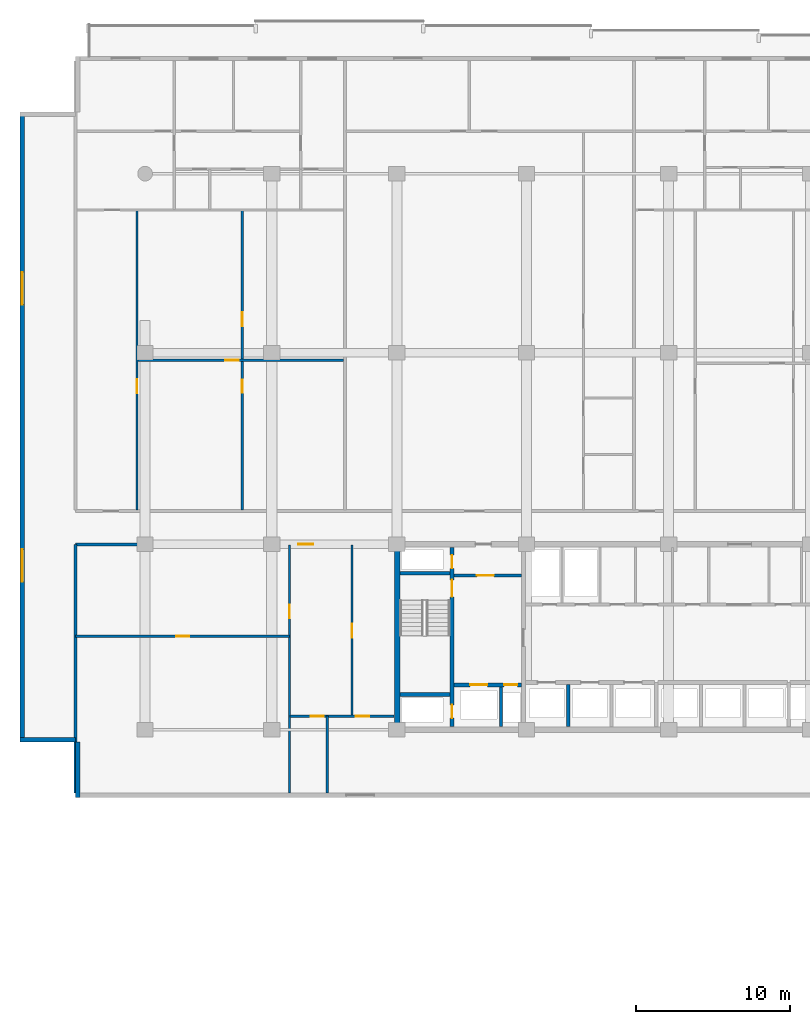
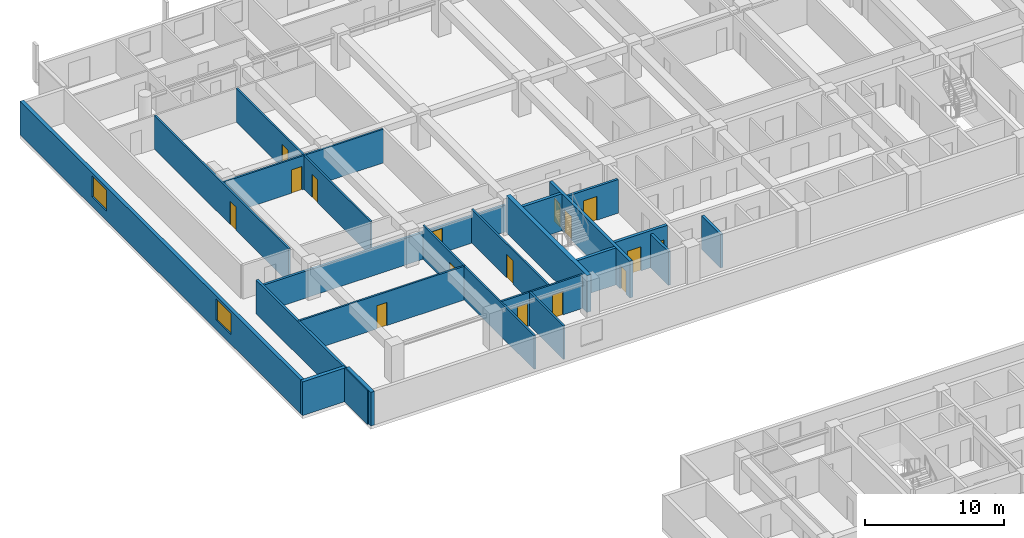
# One storey, part 10 of 23: 21 walls, 16 doors, 2 windows, 18 openings.
"""IFC4 building model written with IfcOpenShell, lengths in metres."""

from ifc_helpers import new_model, si_unit, direction, frame, frame_2d, origin, place, context, subcontext, project, spatial, rectangle, extrude, material, layer, layer_set, type_object, element, fill, save


model = new_model("IFC4")

# Units and contexts
model_context = context("Model", 3, precision=1e-05, world=origin(), true_north=direction((0.0, 1.0)))
body_context = subcontext(model_context, "Body", "Model", "MODEL_VIEW")
ifc_project = project(units=[si_unit("LENGTHUNIT", "METRE"), si_unit("AREAUNIT", "SQUARE_METRE"), si_unit("VOLUMEUNIT", "CUBIC_METRE"), si_unit("PLANEANGLEUNIT", "RADIAN"), si_unit("MASSUNIT", "GRAM", prefix="KILO")], contexts=[model_context])

# Site, building, storey
site_placement = place(None, origin())
site = spatial("IfcSite", under=ifc_project, at=site_placement, CompositionType="ELEMENT")
building_placement = place(site_placement, origin())
building = spatial("IfcBuilding", under=site, at=building_placement, Name="Korimba Cascade Residences", CompositionType="ELEMENT")
storey_placement = place(building_placement, frame((0.0, 0.0, 69.5)))
storey = spatial("IfcBuildingStorey", under=building, at=storey_placement, Name="L19", CompositionType="ELEMENT", Elevation=69.5)

# Wall, openings, windows
ifc_material_1 = material(Name="Precast concrete C40/50", Category="concrete")
ifc_layer_1 = layer(ifc_material_1, 0.300048828125)
ifc_layer_set_1 = layer_set([ifc_layer_1], Name="Precast concrete C40/50")
wall_type_1 = type_object("IfcWallType", Name="EW-STONE-300", PredefinedType="STANDARD", material=ifc_layer_set_1)
wall_1_placement = place(storey_placement, frame((51.85009765625, 95.199951171875, 0.0), z_axis=(0.0, 0.0, 1.0), x_axis=(0.0, -1.0, 0.0)))
wall_1 = element("IfcWall", 1, at=wall_1_placement, inside=storey, type_object=wall_type_1, Name="L19 T1 Perimeter Stone Wall E09", PredefinedType="STANDARD", context=body_context, shape_type="SweptSolid", body=[
    extrude(rectangle(XDim=40.800048828125, YDim=0.300048828125, at=frame_2d((20.39990234375, 0.0))), origin(), (0.0, 0.0, 1.0), 2.969970703125),
])
opening_1_placement = place(wall_1_placement, frame((10.3740234375, 0.0, 0.85009765625)))
opening_1 = element("IfcOpeningElement", 2, at=opening_1_placement, cuts=wall_1, Name="Opening W-03", PredefinedType="OPENING", context=body_context, shape_type="SweptSolid", body=[
    extrude(rectangle(XDim=2.10009765625, YDim=1.85009765625, at=frame_2d((1.050048828125, 0.925048828125))), frame((0.0, 0.16015625, 0.0), z_axis=(0.0, -1.0, 0.0), x_axis=(1.0, 0.0, 0.0)), (0.0, 0.0, 1.0), 0.320068359375),
])
opening_2_placement = place(wall_1_placement, frame((28.325927734375, 0.0, 0.85009765625)))
opening_2 = element("IfcOpeningElement", 3, at=opening_2_placement, cuts=wall_1, Name="Opening W-03", PredefinedType="OPENING", context=body_context, shape_type="SweptSolid", body=[
    extrude(rectangle(XDim=2.10009765625, YDim=1.85009765625, at=frame_2d((1.050048828125, 0.925048828125))), frame((0.0, 0.16015625, 0.0), z_axis=(0.0, -1.0, 0.0), x_axis=(1.0, 0.0, 0.0)), (0.0, 0.0, 1.0), 0.320068359375),
])
ifc_material_2 = material(Name="Double-Glazed Aluminium Window", Category="aluminium")
window_type = type_object("IfcWindowType", Name="WIN-CRN-2100", PartitioningType="DOUBLE_PANEL_HORIZONTAL", PredefinedType="WINDOW", material=ifc_material_2)
window_1_placement = place(opening_1_placement, origin())
window_1 = element("IfcWindow", 4, at=window_1_placement, inside=storey, type_object=window_type, Name="L19 T1 End View Window 9.1", OverallHeight=1.85009765625, OverallWidth=2.10009765625, PartitioningType="DOUBLE_PANEL_HORIZONTAL", PredefinedType="WINDOW", context=body_context, shape_type="SweptSolid", body=[
    extrude(rectangle(XDim=2.10009765625, YDim=1.85009765625, at=frame_2d((1.050048828125, 0.925048828125))), frame((0.0, 0.030029296875, 0.0), z_axis=(0.0, -1.0, 0.0), x_axis=(1.0, 0.0, 0.0)), (0.0, 0.0, 1.0), 0.06005859375),
])
fill(opening_1, window_1)
window_2_placement = place(opening_2_placement, origin())
window_2 = element("IfcWindow", 5, at=window_2_placement, inside=storey, type_object=window_type, Name="L19 T1 End View Window 9.2", OverallHeight=1.85009765625, OverallWidth=2.10009765625, PartitioningType="DOUBLE_PANEL_HORIZONTAL", PredefinedType="WINDOW", context=body_context, shape_type="SweptSolid", body=[
    extrude(rectangle(XDim=2.10009765625, YDim=1.85009765625, at=frame_2d((1.050048828125, 0.925048828125))), frame((0.0, 0.030029296875, 0.0), z_axis=(0.0, -1.0, 0.0), x_axis=(1.0, 0.0, 0.0)), (0.0, 0.0, 1.0), 0.06005859375),
])
fill(opening_2, window_2)

# Walls
wall_2_placement = place(storey_placement, frame((51.699951171875, 54.550048828125, 0.0), z_axis=(0.0, 0.0, 1.0), x_axis=(1.0, 0.0, 0.0)))
element("IfcWall", 6, at=wall_2_placement, inside=storey, type_object=wall_type_1, Name="L19 T1 Perimeter Stone Wall E10", PredefinedType="STANDARD", context=body_context, shape_type="SweptSolid", body=[
    extrude(rectangle(XDim=3.60009765625, YDim=0.300048828125, at=frame_2d((1.800048828125, 0.0))), origin(), (0.0, 0.0, 1.0), 2.969970703125),
])
wall_3_placement = place(storey_placement, frame((55.449951171875, 54.39990234375, 0.0), z_axis=(0.0, 0.0, 1.0), x_axis=(0.0, -1.0, 0.0)))
element("IfcWall", 7, at=wall_3_placement, inside=storey, type_object=wall_type_1, Name="L19 T1 Perimeter Stone Wall E11", PredefinedType="STANDARD", context=body_context, shape_type="SweptSolid", body=[
    extrude(rectangle(XDim=3.599853515625, YDim=0.300048828125, at=frame_2d((1.7998046875, 0.0))), origin(), (0.0, 0.0, 1.0), 2.969970703125),
])
ifc_material_3 = material(Name="Concrete C65/80", Category="concrete")
ifc_layer_2 = layer(ifc_material_3, 0.35009765625)
ifc_layer_set_2 = layer_set([ifc_layer_2], Name="Concrete C65/80")
wall_type_2 = type_object("IfcWallType", Name="WAL-CORE-350", PredefinedType="SHEAR", material=ifc_layer_set_2)
wall_4_placement = place(storey_placement, frame((76.125, 55.375, 0.0), z_axis=(0.0, 0.0, 1.0), x_axis=(0.0, 1.0, 0.0)))
element("IfcWall", 8, at=wall_4_placement, inside=storey, type_object=wall_type_2, Name="L19 Core Shear Wall CW-L19-T1-W", PredefinedType="SHEAR", context=body_context, shape_type="SweptSolid", body=[
    extrude(rectangle(XDim=11.64990234375, YDim=0.35009765625, at=frame_2d((5.824951171875, 0.0))), origin(), (0.0, 0.0, 1.0), 3.25),
])
ifc_layer_3 = layer(ifc_material_1, 0.199951171875)
ifc_layer_set_3 = layer_set([ifc_layer_3], Name="Precast concrete C40/50")
wall_type_3 = type_object("IfcWallType", Name="WAL-IT-200", PredefinedType="PARTITIONING", material=ifc_layer_set_3)
wall_5_placement = place(storey_placement, frame((55.300048828125, 51.10009765625, 0.0), z_axis=(0.0, 0.0, 1.0), x_axis=(0.0, 1.0, 0.0)))
element("IfcWall", 9, at=wall_5_placement, inside=storey, type_object=wall_type_3, Name="L19 Partition Wall WAL-L19-T1-FW-WL", PredefinedType="PARTITIONING", context=body_context, shape_type="SweptSolid", body=[
    extrude(rectangle(XDim=16.099853515625, YDim=0.199951171875, at=frame_2d((8.0498046875, 0.0))), origin(), (0.0, 0.0, 1.0), 2.969970703125),
])

# Wall, opening, door
wall_6_placement = place(storey_placement, frame((55.300048828125, 67.199951171875, 0.0), z_axis=(0.0, 0.0, 1.0), x_axis=(1.0, 0.0, 0.0)))
wall_6 = element("IfcWall", 10, at=wall_6_placement, inside=storey, type_object=wall_type_3, Name="L19 Partition Wall WAL-L19-T1-FW-N", PredefinedType="PARTITIONING", context=body_context, shape_type="SweptSolid", body=[
    extrude(rectangle(XDim=20.64990234375, YDim=0.199951171875, at=frame_2d((10.324951171875, 0.0))), origin(), (0.0, 0.0, 1.0), 2.3701171875),
])
opening_3_placement = place(wall_6_placement, frame((14.426025390625, 0.0, 0.0)))
opening_3 = element("IfcOpeningElement", 11, at=opening_3_placement, cuts=wall_6, Name="Opening D-UN1", PredefinedType="OPENING", context=body_context, shape_type="SweptSolid", body=[
    extrude(rectangle(XDim=0.949951171875, YDim=2.14990234375, at=frame_2d((0.47509765625, 1.074951171875))), frame((0.0, 0.10986328125, 0.0), z_axis=(0.0, -1.0, 0.0), x_axis=(1.0, 0.0, 0.0)), (0.0, 0.0, 1.0), 0.219970703125),
])
ifc_material_4 = material(Name="Fire-Rated Hardwood Apartment Entrance Door", Category="wood")
door_type_1 = type_object("IfcDoorType", Name="DR-FD60-950", OperationType="NOTDEFINED", PredefinedType="DOOR", material=ifc_material_4)
door_1_placement = place(opening_3_placement, origin())
door_1 = element("IfcDoor", 12, at=door_1_placement, inside=storey, type_object=door_type_1, Name="L19-T1-FW Entrance Door", OperationType="SINGLE_SWING_LEFT", OverallHeight=2.14990234375, OverallWidth=0.949951171875, PredefinedType="DOOR", context=body_context, shape_type="SweptSolid", body=[
    extrude(rectangle(XDim=0.949951171875, YDim=2.14990234375, at=frame_2d((0.47509765625, 1.074951171875))), frame((0.0, 0.02490234375, 0.0), z_axis=(0.0, -1.0, 0.0), x_axis=(1.0, 0.0, 0.0)), (0.0, 0.0, 1.0), 0.050048828125),
])
fill(opening_3, door_1)

ifc_material_5 = material(Name="Insulated Acoustic Stud Partition", Category="gypsum")
ifc_layer_4 = layer(ifc_material_5, 0.14990234375)
ifc_layer_set_4 = layer_set([ifc_layer_4], Name="Insulated Acoustic Stud Partition")
wall_type_4 = type_object("IfcWallType", Name="WAL-PART-150", PredefinedType="PARTITIONING", material=ifc_layer_set_4)
wall_7_placement = place(storey_placement, frame((55.300048828125, 61.25, 0.0), z_axis=(0.0, 0.0, 1.0), x_axis=(1.0, 0.0, 0.0)))
wall_7 = element("IfcWall", 13, at=wall_7_placement, inside=storey, type_object=wall_type_4, Name="L19 Partition Wall WAL-L19-T1-FW-STH", PredefinedType="PARTITIONING", context=body_context, shape_type="SweptSolid", body=[
    extrude(rectangle(XDim=13.849853515625, YDim=0.14990234375, at=frame_2d((6.9248046875, 0.0))), origin(), (0.0, 0.0, 1.0), 2.969970703125),
])
opening_4_placement = place(wall_7_placement, frame((6.5048828125, 0.0, 0.0)))
opening_4 = element("IfcOpeningElement", 14, at=opening_4_placement, cuts=wall_7, Name="Opening D-BT1", PredefinedType="OPENING", context=body_context, shape_type="SweptSolid", body=[
    extrude(rectangle(XDim=0.840087890625, YDim=2.0400390625, at=frame_2d((0.419921875, 1.02001953125))), frame((0.0, 0.0849609375, 0.0), z_axis=(0.0, -1.0, 0.0), x_axis=(1.0, 0.0, 0.0)), (0.0, 0.0, 1.0), 0.169921875),
])
ifc_material_6 = material(Name="Moisture-Resistant Bathroom Timber Door", Category="wood")
door_type_2 = type_object("IfcDoorType", Name="DR-INT-850", OperationType="NOTDEFINED", PredefinedType="DOOR", material=ifc_material_6)
door_2_placement = place(opening_4_placement, origin())
door_2 = element("IfcDoor", 15, at=door_2_placement, inside=storey, type_object=door_type_2, Name="L19-T1-FW Dressing Store Door", OperationType="SINGLE_SWING_RIGHT", OverallHeight=2.0400390625, OverallWidth=0.840087890625, PredefinedType="DOOR", context=body_context, shape_type="SweptSolid", body=[
    extrude(rectangle(XDim=0.840087890625, YDim=2.0400390625, at=frame_2d((0.419921875, 1.02001953125))), frame((0.0, 0.02490234375, 0.0), z_axis=(0.0, -1.0, 0.0), x_axis=(1.0, 0.0, 0.0)), (0.0, 0.0, 1.0), 0.050048828125),
])
fill(opening_4, door_2)

wall_8_placement = place(storey_placement, frame((69.14990234375, 51.10009765625, 0.0), z_axis=(0.0, 0.0, 1.0), x_axis=(0.0, 1.0, 0.0)))
wall_8 = element("IfcWall", 16, at=wall_8_placement, inside=storey, type_object=wall_type_4, Name="L19 Partition Wall WAL-L19-T1-FW-STV", PredefinedType="PARTITIONING", context=body_context, shape_type="SweptSolid", body=[
    extrude(rectangle(XDim=16.0498046875, YDim=0.14990234375, at=frame_2d((8.02490234375, 0.0))), origin(), (0.0, 0.0, 1.0), 2.969970703125),
])
opening_5_placement = place(wall_8_placement, frame((11.300048828125, 0.0, 0.0)))
opening_5 = element("IfcOpeningElement", 17, at=opening_5_placement, cuts=wall_8, Name="Opening D-IN2", PredefinedType="OPENING", context=body_context, shape_type="SweptSolid", body=[
    extrude(rectangle(XDim=0.8798828125, YDim=2.06005859375, at=frame_2d((0.43994140625, 1.030029296875))), frame((0.0, 0.0849609375, 0.0), z_axis=(0.0, -1.0, 0.0), x_axis=(1.0, 0.0, 0.0)), (0.0, 0.0, 1.0), 0.169921875),
])
ifc_material_7 = material(Name="Acoustic Timber Bedroom Door", Category="wood")
door_type_3 = type_object("IfcDoorType", Name="DR-INT-880", OperationType="NOTDEFINED", PredefinedType="DOOR", material=ifc_material_7)
door_3_placement = place(opening_5_placement, origin())
door_3 = element("IfcDoor", 18, at=door_3_placement, inside=storey, type_object=door_type_3, Name="L19-T1-FW Study Door", OperationType="SINGLE_SWING_LEFT", OverallHeight=2.06005859375, OverallWidth=0.8798828125, PredefinedType="DOOR", context=body_context, shape_type="SweptSolid", body=[
    extrude(rectangle(XDim=0.8798828125, YDim=2.06005859375, at=frame_2d((0.43994140625, 1.030029296875))), frame((0.0, 0.02490234375, 0.0), z_axis=(0.0, -1.0, 0.0), x_axis=(1.0, 0.0, 0.0)), (0.0, 0.0, 1.0), 0.050048828125),
])
fill(opening_5, door_3)

wall_9_placement = place(storey_placement, frame((73.199951171875, 56.070068359375, 0.0), z_axis=(0.0, 0.0, 1.0), x_axis=(0.0, 1.0, 0.0)))
wall_9 = element("IfcWall", 19, at=wall_9_placement, inside=storey, type_object=wall_type_4, Name="L19 Partition Wall WAL-L19-T1-FW-VN", PredefinedType="PARTITIONING", context=body_context, shape_type="SweptSolid", body=[
    extrude(rectangle(XDim=11.079833984375, YDim=0.14990234375, at=frame_2d((5.5400390625, 0.0))), origin(), (0.0, 0.0, 1.0), 2.969970703125),
])
opening_6_placement = place(wall_9_placement, frame((5.080078125, 0.0, 0.0)))
opening_6 = element("IfcOpeningElement", 20, at=opening_6_placement, cuts=wall_9, Name="Opening D-IN1", PredefinedType="OPENING", context=body_context, shape_type="SweptSolid", body=[
    extrude(rectangle(XDim=0.919921875, YDim=2.080078125, at=frame_2d((0.4599609375, 1.0400390625))), frame((0.0, 0.0849609375, 0.0), z_axis=(0.0, -1.0, 0.0), x_axis=(1.0, 0.0, 0.0)), (0.0, 0.0, 1.0), 0.169921875),
])
ifc_material_8 = material(Name="Acoustic Timber Living Door", Category="wood")
door_type_4 = type_object("IfcDoorType", Name="DR-INT-920", OperationType="NOTDEFINED", PredefinedType="DOOR", material=ifc_material_8)
door_4_placement = place(opening_6_placement, origin())
door_4 = element("IfcDoor", 21, at=door_4_placement, inside=storey, type_object=door_type_4, Name="L19-T1-FW Living Door", OperationType="SINGLE_SWING_RIGHT", OverallHeight=2.080078125, OverallWidth=0.919921875, PredefinedType="DOOR", context=body_context, shape_type="SweptSolid", body=[
    extrude(rectangle(XDim=0.919921875, YDim=2.080078125, at=frame_2d((0.4599609375, 1.0400390625))), frame((0.0, 0.02490234375, 0.0), z_axis=(0.0, -1.0, 0.0), x_axis=(1.0, 0.0, 0.0)), (0.0, 0.0, 1.0), 0.050048828125),
])
fill(opening_6, door_4)

# Wall
wall_10_placement = place(storey_placement, frame((71.60009765625, 51.10009765625, 0.0), z_axis=(0.0, 0.0, 1.0), x_axis=(0.0, 1.0, 0.0)))
element("IfcWall", 22, at=wall_10_placement, inside=storey, type_object=wall_type_4, Name="L19 Partition Wall WAL-L19-T1-FW-VS", PredefinedType="PARTITIONING", context=body_context, shape_type="SweptSolid", body=[
    extrude(rectangle(XDim=4.969970703125, YDim=0.14990234375, at=frame_2d((2.48486328125, 0.0))), origin(), (0.0, 0.0, 1.0), 2.969970703125),
])

# Wall, openings, doors
wall_11_placement = place(storey_placement, frame((69.169921875, 56.070068359375, 0.0), z_axis=(0.0, 0.0, 1.0), x_axis=(1.0, 0.0, 0.0)))
wall_11 = element("IfcWall", 23, at=wall_11_placement, inside=storey, type_object=wall_type_4, Name="L19 Partition Wall WAL-L19-T1-FW-H", PredefinedType="PARTITIONING", context=body_context, shape_type="SweptSolid", body=[
    extrude(rectangle(XDim=6.760009765625, YDim=0.14990234375, at=frame_2d((3.3798828125, 0.0))), origin(), (0.0, 0.0, 1.0), 2.969970703125),
])
opening_7_placement = place(wall_11_placement, frame((1.3623046875, 0.0, 0.0)))
opening_7 = element("IfcOpeningElement", 24, at=opening_7_placement, cuts=wall_11, Name="Opening D-BT1", PredefinedType="OPENING", context=body_context, shape_type="SweptSolid", body=[
    extrude(rectangle(XDim=0.840087890625, YDim=2.0400390625, at=frame_2d((0.419921875, 1.02001953125))), frame((0.0, 0.0849609375, 0.0), z_axis=(0.0, -1.0, 0.0), x_axis=(1.0, 0.0, 0.0)), (0.0, 0.0, 1.0), 0.169921875),
])
opening_8_placement = place(wall_11_placement, frame((4.276611328125, 0.0, 0.0)))
opening_8 = element("IfcOpeningElement", 25, at=opening_8_placement, cuts=wall_11, Name="Opening D-IN2", PredefinedType="OPENING", context=body_context, shape_type="SweptSolid", body=[
    extrude(rectangle(XDim=0.8798828125, YDim=2.06005859375, at=frame_2d((0.43994140625, 1.030029296875))), frame((0.0, 0.0849609375, 0.0), z_axis=(0.0, -1.0, 0.0), x_axis=(1.0, 0.0, 0.0)), (0.0, 0.0, 1.0), 0.169921875),
])
door_5_placement = place(opening_7_placement, origin())
door_5 = element("IfcDoor", 26, at=door_5_placement, inside=storey, type_object=door_type_2, Name="L19-T1-FW Bathroom Door", OperationType="SINGLE_SWING_LEFT", OverallHeight=2.0400390625, OverallWidth=0.840087890625, PredefinedType="DOOR", context=body_context, shape_type="SweptSolid", body=[
    extrude(rectangle(XDim=0.840087890625, YDim=2.0400390625, at=frame_2d((0.419921875, 1.02001953125))), frame((0.0, 0.02490234375, 0.0), z_axis=(0.0, -1.0, 0.0), x_axis=(1.0, 0.0, 0.0)), (0.0, 0.0, 1.0), 0.050048828125),
])
fill(opening_7, door_5)
door_6_placement = place(opening_8_placement, origin())
door_6 = element("IfcDoor", 27, at=door_6_placement, inside=storey, type_object=door_type_3, Name="L19-T1-FW Bedroom Door", OperationType="SINGLE_SWING_RIGHT", OverallHeight=2.06005859375, OverallWidth=0.8798828125, PredefinedType="DOOR", context=body_context, shape_type="SweptSolid", body=[
    extrude(rectangle(XDim=0.8798828125, YDim=2.06005859375, at=frame_2d((0.43994140625, 1.030029296875))), frame((0.0, 0.02490234375, 0.0), z_axis=(0.0, -1.0, 0.0), x_axis=(1.0, 0.0, 0.0)), (0.0, 0.0, 1.0), 0.050048828125),
])
fill(opening_8, door_6)

wall_12_placement = place(storey_placement, frame((66.092041015625, 69.409912109375, 0.0), z_axis=(0.0, 0.0, 1.0), x_axis=(0.0, 1.0, 0.0)))
wall_12 = element("IfcWall", 28, at=wall_12_placement, inside=storey, type_object=wall_type_4, Name="L19 Partition Wall WAL-L19-T1-U01-FMV", PredefinedType="PARTITIONING", context=body_context, shape_type="SweptSolid", body=[
    extrude(rectangle(XDim=19.400146484375, YDim=0.14990234375, at=frame_2d((9.7001953125, 0.0))), origin(), (0.0, 0.0, 1.0), 2.969970703125),
])
opening_9_placement = place(wall_12_placement, frame((7.618896484375, 0.0, 0.0)))
opening_9 = element("IfcOpeningElement", 29, at=opening_9_placement, cuts=wall_12, Name="Opening D-BT1", PredefinedType="OPENING", context=body_context, shape_type="SweptSolid", body=[
    extrude(rectangle(XDim=0.840087890625, YDim=2.0400390625, at=frame_2d((0.419921875, 1.02001953125))), frame((0.0, 0.0849609375, 0.0), z_axis=(0.0, -1.0, 0.0), x_axis=(1.0, 0.0, 0.0)), (0.0, 0.0, 1.0), 0.169921875),
])
opening_10_placement = place(wall_12_placement, frame((11.9228515625, 0.0, 0.0)))
opening_10 = element("IfcOpeningElement", 30, at=opening_10_placement, cuts=wall_12, Name="Opening D-IN2", PredefinedType="OPENING", context=body_context, shape_type="SweptSolid", body=[
    extrude(rectangle(XDim=0.8798828125, YDim=2.06005859375, at=frame_2d((0.43994140625, 1.030029296875))), frame((0.0, 0.0849609375, 0.0), z_axis=(0.0, -1.0, 0.0), x_axis=(1.0, 0.0, 0.0)), (0.0, 0.0, 1.0), 0.169921875),
])
door_7_placement = place(opening_9_placement, origin())
door_7 = element("IfcDoor", 31, at=door_7_placement, inside=storey, type_object=door_type_2, Name="L19-T1-U01 Wardrobe Door", OperationType="SINGLE_SWING_RIGHT", OverallHeight=2.0400390625, OverallWidth=0.840087890625, PredefinedType="DOOR", context=body_context, shape_type="SweptSolid", body=[
    extrude(rectangle(XDim=0.840087890625, YDim=2.0400390625, at=frame_2d((0.419921875, 1.02001953125))), frame((0.0, 0.02490234375, 0.0), z_axis=(0.0, -1.0, 0.0), x_axis=(1.0, 0.0, 0.0)), (0.0, 0.0, 1.0), 0.050048828125),
])
fill(opening_9, door_7)
door_8_placement = place(opening_10_placement, origin())
door_8 = element("IfcDoor", 32, at=door_8_placement, inside=storey, type_object=door_type_3, Name="L19-T1-U01 Music Lounge Door", OperationType="SINGLE_SWING_LEFT", OverallHeight=2.06005859375, OverallWidth=0.8798828125, PredefinedType="DOOR", context=body_context, shape_type="SweptSolid", body=[
    extrude(rectangle(XDim=0.8798828125, YDim=2.06005859375, at=frame_2d((0.43994140625, 1.030029296875))), frame((0.0, 0.02490234375, 0.0), z_axis=(0.0, -1.0, 0.0), x_axis=(1.0, 0.0, 0.0)), (0.0, 0.0, 1.0), 0.050048828125),
])
fill(opening_10, door_8)

# Wall, opening, door
wall_13_placement = place(storey_placement, frame((59.330078125, 79.110107421875, 0.0), z_axis=(0.0, 0.0, 1.0), x_axis=(1.0, 0.0, 0.0)))
wall_13 = element("IfcWall", 33, at=wall_13_placement, inside=storey, type_object=wall_type_4, Name="L19 Partition Wall WAL-L19-T1-U01-FMH", PredefinedType="PARTITIONING", context=body_context, shape_type="SweptSolid", body=[
    extrude(rectangle(XDim=13.323974609375, YDim=0.14990234375, at=frame_2d((6.662109375, 0.0))), origin(), (0.0, 0.0, 1.0), 2.969970703125),
])
opening_11_placement = place(wall_13_placement, frame((5.662109375, 0.0, 0.0)))
opening_11 = element("IfcOpeningElement", 34, at=opening_11_placement, cuts=wall_13, Name="Opening D-IN2", PredefinedType="OPENING", context=body_context, shape_type="SweptSolid", body=[
    extrude(rectangle(XDim=0.8798828125, YDim=2.06005859375, at=frame_2d((0.43994140625, 1.030029296875))), frame((0.0, 0.0849609375, 0.0), z_axis=(0.0, -1.0, 0.0), x_axis=(1.0, 0.0, 0.0)), (0.0, 0.0, 1.0), 0.169921875),
])
door_9_placement = place(opening_11_placement, origin())
door_9 = element("IfcDoor", 35, at=door_9_placement, inside=storey, type_object=door_type_3, Name="L19-T1-U01 Library Salon Door", OperationType="SINGLE_SWING_RIGHT", OverallHeight=2.06005859375, OverallWidth=0.8798828125, PredefinedType="DOOR", context=body_context, shape_type="SweptSolid", body=[
    extrude(rectangle(XDim=0.8798828125, YDim=2.06005859375, at=frame_2d((0.43994140625, 1.030029296875))), frame((0.0, 0.02490234375, 0.0), z_axis=(0.0, -1.0, 0.0), x_axis=(1.0, 0.0, 0.0)), (0.0, 0.0, 1.0), 0.050048828125),
])
fill(opening_11, door_9)

wall_14_placement = place(storey_placement, frame((59.27001953125, 69.409912109375, 0.0), z_axis=(0.0, 0.0, 1.0), x_axis=(0.0, 1.0, 0.0)))
wall_14 = element("IfcWall", 36, at=wall_14_placement, inside=storey, type_object=wall_type_4, Name="L19 Partition Wall WAL-L19-T1-U01-FV", PredefinedType="PARTITIONING", context=body_context, shape_type="SweptSolid", body=[
    extrude(rectangle(XDim=19.400146484375, YDim=0.14990234375, at=frame_2d((9.7001953125, 0.0))), origin(), (0.0, 0.0, 1.0), 2.969970703125),
])
opening_12_placement = place(wall_14_placement, frame((7.58349609375, 0.0, 0.0)))
opening_12 = element("IfcOpeningElement", 37, at=opening_12_placement, cuts=wall_14, Name="Opening D-IN2", PredefinedType="OPENING", context=body_context, shape_type="SweptSolid", body=[
    extrude(rectangle(XDim=0.8798828125, YDim=2.06005859375, at=frame_2d((0.43994140625, 1.030029296875))), frame((0.0, 0.0849609375, 0.0), z_axis=(0.0, -1.0, 0.0), x_axis=(1.0, 0.0, 0.0)), (0.0, 0.0, 1.0), 0.169921875),
])
door_10_placement = place(opening_12_placement, origin())
door_10 = element("IfcDoor", 38, at=door_10_placement, inside=storey, type_object=door_type_3, Name="L19-T1-U01 Media Lounge Door", OperationType="SINGLE_SWING_LEFT", OverallHeight=2.06005859375, OverallWidth=0.8798828125, PredefinedType="DOOR", context=body_context, shape_type="SweptSolid", body=[
    extrude(rectangle(XDim=0.8798828125, YDim=2.06005859375, at=frame_2d((0.43994140625, 1.030029296875))), frame((0.0, 0.02490234375, 0.0), z_axis=(0.0, -1.0, 0.0), x_axis=(1.0, 0.0, 0.0)), (0.0, 0.0, 1.0), 0.050048828125),
])
fill(opening_12, door_10)

# Wall
ifc_material_9 = material(Name="Concrete C40/50", Category="concrete")
ifc_layer_5 = layer(ifc_material_9, 0.199951171875)
ifc_layer_set_5 = layer_set([ifc_layer_5], Name="Concrete C40/50")
wall_type_5 = type_object("IfcWallType", Name="WAL-PART-200", PredefinedType="PARTITIONING", material=ifc_layer_set_5)
wall_15_placement = place(storey_placement, frame((82.85009765625, 55.39990234375, 0.0), z_axis=(0.0, 0.0, 1.0), x_axis=(0.0, 1.0, 0.0)))
element("IfcWall", 39, at=wall_15_placement, inside=storey, type_object=wall_type_5, Name="L19 Partition Wall CW-L19-T1-FFLDIV", PredefinedType="PARTITIONING", context=body_context, shape_type="SweptSolid", body=[
    extrude(rectangle(XDim=2.56005859375, YDim=0.199951171875, at=frame_2d((1.280029296875, 0.0))), origin(), (0.0, 0.0, 1.0), 2.969970703125),
])

# Wall, opening, door
wall_16_placement = place(storey_placement, frame((79.7900390625, 65.179931640625, 0.0), z_axis=(0.0, 0.0, 1.0), x_axis=(1.0, 0.0, 0.0)))
wall_16 = element("IfcWall", 40, at=wall_16_placement, inside=storey, type_object=wall_type_5, Name="L19 Partition Wall CW-L19-T1-FFLN", PredefinedType="PARTITIONING", context=body_context, shape_type="SweptSolid", body=[
    extrude(rectangle(XDim=4.389892578125, YDim=0.199951171875, at=frame_2d((2.19482421875, 0.0))), origin(), (0.0, 0.0, 1.0), 2.969970703125),
])
opening_13_placement = place(wall_16_placement, frame((1.5, 0.0, 0.0)))
opening_13 = element("IfcOpeningElement", 41, at=opening_13_placement, cuts=wall_16, Name="Opening D-FD1", PredefinedType="OPENING", context=body_context, shape_type="SweptSolid", body=[
    extrude(rectangle(XDim=1.10009765625, YDim=2.10009765625, at=frame_2d((0.550048828125, 1.050048828125))), frame((0.0, 0.10986328125, 0.0), z_axis=(0.0, -1.0, 0.0), x_axis=(1.0, 0.0, 0.0)), (0.0, 0.0, 1.0), 0.219970703125),
])
ifc_material_10 = material(Name="Fire-Rated Steel Core Door", Category="steel")
door_type_5 = type_object("IfcDoorType", Name="DR-FD120-1100", OperationType="NOTDEFINED", PredefinedType="DOOR", material=ifc_material_10)
door_11_placement = place(opening_13_placement, origin())
door_11 = element("IfcDoor", 42, at=door_11_placement, inside=storey, type_object=door_type_5, Name="L19 West Firefighting Lobby Door", OperationType="SINGLE_SWING_LEFT", OverallHeight=2.10009765625, OverallWidth=1.10009765625, PredefinedType="DOOR", context=body_context, shape_type="SweptSolid", body=[
    extrude(rectangle(XDim=1.10009765625, YDim=2.10009765625, at=frame_2d((0.550048828125, 1.050048828125))), frame((0.0, 0.02490234375, 0.0), z_axis=(0.0, -1.0, 0.0), x_axis=(1.0, 0.0, 0.0)), (0.0, 0.0, 1.0), 0.050048828125),
])
fill(opening_13, door_11)

# Wall
wall_17_placement = place(storey_placement, frame((87.199951171875, 55.39990234375, 0.0), z_axis=(0.0, 0.0, 1.0), x_axis=(0.0, 1.0, 0.0)))
element("IfcWall", 43, at=wall_17_placement, inside=storey, type_object=wall_type_5, Name="L19 Partition Wall CW-L19-T1-B1D1", PredefinedType="PARTITIONING", context=body_context, shape_type="SweptSolid", body=[
    extrude(rectangle(XDim=2.72021484375, YDim=0.199951171875, at=frame_2d((1.360107421875, 0.0))), origin(), (0.0, 0.0, 1.0), 2.969970703125),
])

# Wall, openings, doors
ifc_material_11 = material(Name="Concrete C50/60", Category="concrete")
ifc_layer_6 = layer(ifc_material_11, 0.25)
ifc_layer_set_6 = layer_set([ifc_layer_6], Name="Concrete C50/60")
wall_type_6 = type_object("IfcWallType", Name="WAL-SHAFT-250", PredefinedType="SHEAR", material=ifc_layer_set_6)
wall_18_placement = place(storey_placement, frame((79.6650390625, 55.39990234375, 0.0), z_axis=(0.0, 0.0, 1.0), x_axis=(0.0, 1.0, 0.0)))
wall_18 = element("IfcWall", 44, at=wall_18_placement, inside=storey, type_object=wall_type_6, Name="L19 Core Shear Wall CW-L19-T1-STW1E", PredefinedType="SHEAR", context=body_context, shape_type="SweptSolid", body=[
    extrude(rectangle(XDim=11.60009765625, YDim=0.25, at=frame_2d((5.800048828125, 0.0))), origin(), (0.0, 0.0, 1.0), 3.25),
])
opening_14_placement = place(wall_18_placement, frame((0.550048828125, 0.0, 0.0)))
opening_14 = element("IfcOpeningElement", 45, at=opening_14_placement, cuts=wall_18, Name="Opening D-RS1", PredefinedType="OPENING", context=body_context, shape_type="SweptSolid", body=[
    extrude(rectangle(XDim=0.85009765625, YDim=2.050048828125, at=frame_2d((0.425048828125, 1.02490234375))), frame((0.0, 0.135009765625, 0.0), z_axis=(0.0, -1.0, 0.0), x_axis=(1.0, 0.0, 0.0)), (0.0, 0.0, 1.0), 0.27001953125),
])
opening_15_placement = place(wall_18_placement, frame((8.39990234375, 0.0, 0.0)))
opening_15 = element("IfcOpeningElement", 46, at=opening_15_placement, cuts=wall_18, Name="Opening D-FD1", PredefinedType="OPENING", context=body_context, shape_type="SweptSolid", body=[
    extrude(rectangle(XDim=1.10009765625, YDim=2.10009765625, at=frame_2d((0.550048828125, 1.050048828125))), frame((0.0, 0.135009765625, 0.0), z_axis=(0.0, -1.0, 0.0), x_axis=(1.0, 0.0, 0.0)), (0.0, 0.0, 1.0), 0.27001953125),
])
opening_16_placement = place(wall_18_placement, frame((10.25, 0.0, 0.0)))
opening_16 = element("IfcOpeningElement", 47, at=opening_16_placement, cuts=wall_18, Name="Opening D-RS1", PredefinedType="OPENING", context=body_context, shape_type="SweptSolid", body=[
    extrude(rectangle(XDim=0.85009765625, YDim=2.050048828125, at=frame_2d((0.425048828125, 1.02490234375))), frame((0.0, 0.135009765625, 0.0), z_axis=(0.0, -1.0, 0.0), x_axis=(1.0, 0.0, 0.0)), (0.0, 0.0, 1.0), 0.27001953125),
])
door_12_placement = place(opening_15_placement, origin())
door_12 = element("IfcDoor", 48, at=door_12_placement, inside=storey, type_object=door_type_5, Name="L19 Fire Stair ST-W1 Door", OperationType="SINGLE_SWING_RIGHT", OverallHeight=2.10009765625, OverallWidth=1.10009765625, PredefinedType="DOOR", context=body_context, shape_type="SweptSolid", body=[
    extrude(rectangle(XDim=1.10009765625, YDim=2.10009765625, at=frame_2d((0.550048828125, 1.050048828125))), frame((0.0, 0.02490234375, 0.0), z_axis=(0.0, -1.0, 0.0), x_axis=(1.0, 0.0, 0.0)), (0.0, 0.0, 1.0), 0.050048828125),
])
fill(opening_15, door_12)
ifc_material_12 = material(Name="Fire-Rated Steel Riser Access Door", Category="steel")
door_type_6 = type_object("IfcDoorType", Name="DR-FD60-850", OperationType="NOTDEFINED", PredefinedType="DOOR", material=ifc_material_12)
door_13_placement = place(opening_14_placement, origin())
door_13 = element("IfcDoor", 49, at=door_13_placement, inside=storey, type_object=door_type_6, Name="L19 Smoke Riser Access Door", OperationType="SINGLE_SWING_LEFT", OverallHeight=2.050048828125, OverallWidth=0.85009765625, PredefinedType="DOOR", context=body_context, shape_type="SweptSolid", body=[
    extrude(rectangle(XDim=0.85009765625, YDim=2.050048828125, at=frame_2d((0.425048828125, 1.02490234375))), frame((0.0, 0.02490234375, 0.0), z_axis=(0.0, -1.0, 0.0), x_axis=(1.0, 0.0, 0.0)), (0.0, 0.0, 1.0), 0.050048828125),
])
fill(opening_14, door_13)
door_14_placement = place(opening_16_placement, origin())
door_14 = element("IfcDoor", 50, at=door_14_placement, inside=storey, type_object=door_type_6, Name="L19 Hydrant Riser Access Door", OperationType="SINGLE_SWING_LEFT", OverallHeight=2.050048828125, OverallWidth=0.85009765625, PredefinedType="DOOR", context=body_context, shape_type="SweptSolid", body=[
    extrude(rectangle(XDim=0.85009765625, YDim=2.050048828125, at=frame_2d((0.425048828125, 1.02490234375))), frame((0.0, 0.02490234375, 0.0), z_axis=(0.0, -1.0, 0.0), x_axis=(1.0, 0.0, 0.0)), (0.0, 0.0, 1.0), 0.050048828125),
])
fill(opening_16, door_14)

# Walls
for number, where, z_axis, x_axis, name in (
    (51, (76.300048828125, 57.47509765625, 0.0), (0.0, 0.0, 1.0), (1.0, 0.0, 0.0), "L19 Core Shear Wall CW-L19-T1-STW1S"),
    (52, (76.300048828125, 65.324951171875, 0.0), (0.0, 0.0, 1.0), (1.0, 0.0, 0.0), "L19 Core Shear Wall CW-L19-T1-STW1N"),
):
    element("IfcWall", number, at=place(storey_placement, frame(where, z_axis=z_axis, x_axis=x_axis)), inside=storey, type_object=wall_type_6, Name=name, PredefinedType="SHEAR", context=body_context, shape_type="SweptSolid", body=[
        extrude(rectangle(XDim=3.239990234375, YDim=0.25, at=frame_2d((1.6201171875, 0.0))), origin(), (0.0, 0.0, 1.0), 3.25),
    ])

# Wall, openings, doors
wall_19_placement = place(storey_placement, frame((79.7900390625, 58.10009765625, 0.0), z_axis=(0.0, 0.0, 1.0), x_axis=(1.0, 0.0, 0.0)))
wall_19 = element("IfcWall", 53, at=wall_19_placement, inside=storey, type_object=wall_type_6, Name="L19 Core Shear Wall CW-L19-T1-FFLS", PredefinedType="SHEAR", context=body_context, shape_type="SweptSolid", body=[
    extrude(rectangle(XDim=4.389892578125, YDim=0.25, at=frame_2d((2.19482421875, 0.0))), origin(), (0.0, 0.0, 1.0), 3.25),
])
opening_17_placement = place(wall_19_placement, frame((1.050048828125, 0.0, 0.0)))
opening_17 = element("IfcOpeningElement", 54, at=opening_17_placement, cuts=wall_19, Name="Opening LD-01", PredefinedType="OPENING", context=body_context, shape_type="SweptSolid", body=[
    extrude(rectangle(XDim=1.1201171875, YDim=2.1201171875, at=frame_2d((0.56005859375, 1.06005859375))), frame((0.0, 0.135009765625, 0.0), z_axis=(0.0, -1.0, 0.0), x_axis=(1.0, 0.0, 0.0)), (0.0, 0.0, 1.0), 0.27001953125),
])
opening_18_placement = place(wall_19_placement, frame((3.260009765625, 0.0, 0.0)))
opening_18 = element("IfcOpeningElement", 55, at=opening_18_placement, cuts=wall_19, Name="Opening D-RS1", PredefinedType="OPENING", context=body_context, shape_type="SweptSolid", body=[
    extrude(rectangle(XDim=0.85009765625, YDim=2.050048828125, at=frame_2d((0.425048828125, 1.02490234375))), frame((0.0, 0.135009765625, 0.0), z_axis=(0.0, -1.0, 0.0), x_axis=(1.0, 0.0, 0.0)), (0.0, 0.0, 1.0), 0.27001953125),
])
door_15_placement = place(opening_18_placement, origin())
door_15 = element("IfcDoor", 56, at=door_15_placement, inside=storey, type_object=door_type_6, Name="L19 Pressurisation Riser Door", OperationType="SINGLE_SWING_RIGHT", OverallHeight=2.050048828125, OverallWidth=0.85009765625, PredefinedType="DOOR", context=body_context, shape_type="SweptSolid", body=[
    extrude(rectangle(XDim=0.85009765625, YDim=2.050048828125, at=frame_2d((0.425048828125, 1.02490234375))), frame((0.0, 0.02490234375, 0.0), z_axis=(0.0, -1.0, 0.0), x_axis=(1.0, 0.0, 0.0)), (0.0, 0.0, 1.0), 0.050048828125),
])
fill(opening_18, door_15)
ifc_material_13 = material(Name="Stainless Steel Lift Landing Sliding Door", Category="steel")
door_type_7 = type_object("IfcDoorType", Name="DR-LIFT-1100", OperationType="NOTDEFINED", PredefinedType="DOOR", material=ifc_material_13)
door_16_placement = place(opening_17_placement, origin())
door_16 = element("IfcDoor", 57, at=door_16_placement, inside=storey, type_object=door_type_7, Name="L19 Firefighting Lift Landing Door FFL-W1", OperationType="SLIDING_TO_LEFT", OverallHeight=2.1201171875, OverallWidth=1.1201171875, PredefinedType="DOOR", context=body_context, shape_type="SweptSolid", body=[
    extrude(rectangle(XDim=1.1201171875, YDim=2.1201171875, at=frame_2d((0.56005859375, 1.06005859375))), frame((0.0, 0.02490234375, 0.0), z_axis=(0.0, -1.0, 0.0), x_axis=(1.0, 0.0, 0.0)), (0.0, 0.0, 1.0), 0.050048828125),
])
fill(opening_17, door_16)

save(model, "model.ifc")
